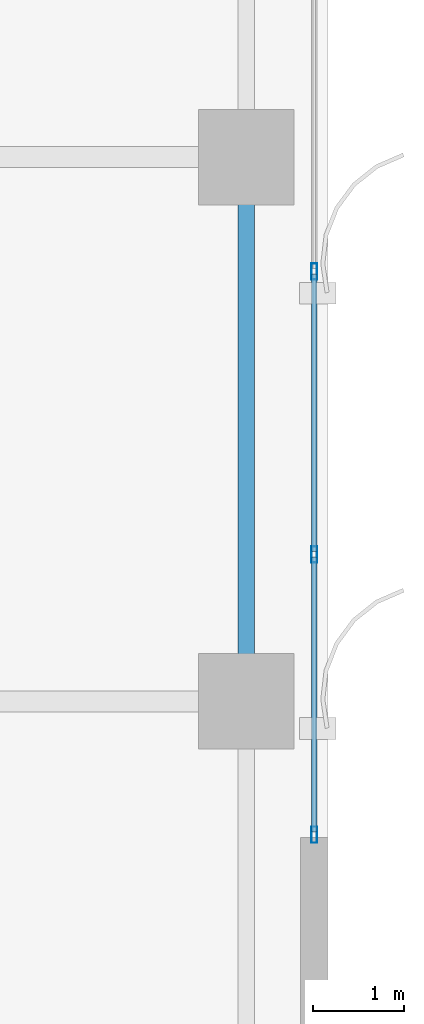
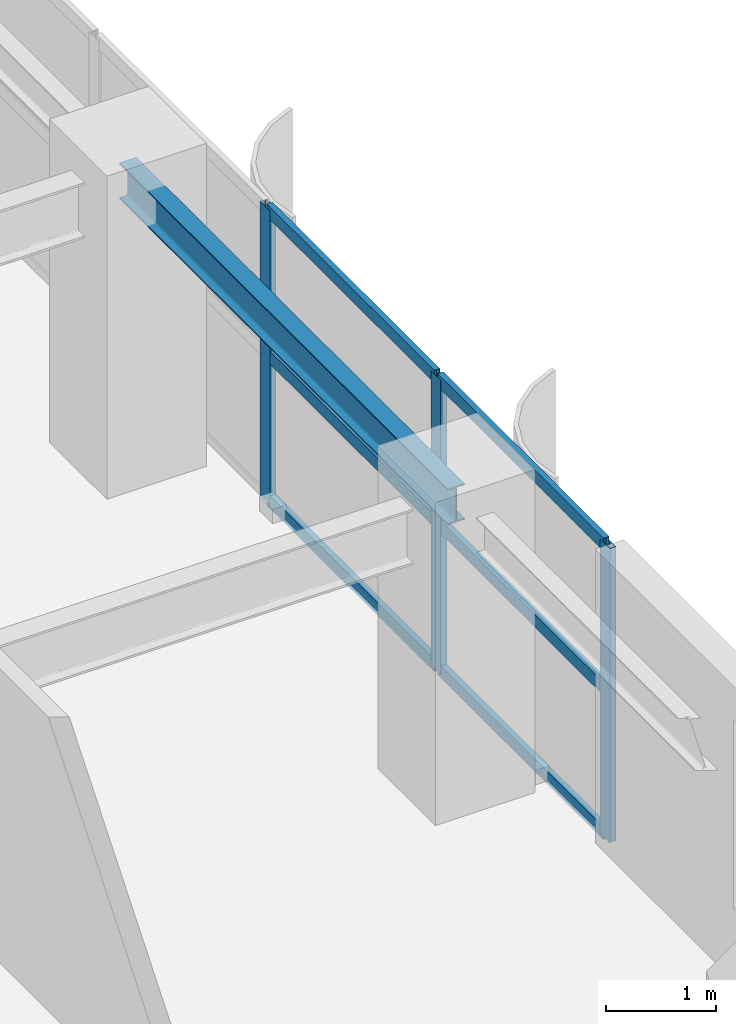
# One storey, part 11 of 28: 9 members, 1 beam, 1 element without a shape of its own.
"""IFC4 building model written with IfcOpenShell, lengths in metres."""

from ifc_helpers import new_model, si_unit, direction, frame, origin, origin_2d, place, context, subcontext, project, spatial, hollow_rectangle, i_section, extrude, source, transform, mapped, material, layer, layer_set, material_profile, profile_set, type_object, element, aggregate, save


model = new_model("IFC4")

# Units and contexts
model_context = context("Model", 3, precision=1e-05, world=origin(), true_north=direction((0.0, 1.0)))
body_context = subcontext(model_context, "Body", "Model", "MODEL_VIEW")
ifc_project = project(units=[si_unit("LENGTHUNIT", "METRE"), si_unit("AREAUNIT", "SQUARE_METRE"), si_unit("VOLUMEUNIT", "CUBIC_METRE"), si_unit("PLANEANGLEUNIT", "RADIAN"), si_unit("MASSUNIT", "GRAM", prefix="KILO")], contexts=[model_context])

# Site, building, storey
site_placement = place(None, origin())
site = spatial("IfcSite", under=ifc_project, at=site_placement, CompositionType="ELEMENT")
building_placement = place(site_placement, origin())
building = spatial("IfcBuilding", under=site, at=building_placement, Name="Khoralis Quay Care Tower", CompositionType="ELEMENT")
storey_placement = place(building_placement, frame((0.0, 0.0, 144.89990234375)))
storey = spatial("IfcBuildingStorey", under=building, at=storey_placement, Name="L38", CompositionType="ELEMENT", Elevation=144.89990234375)

# Beam
ifc_material_1 = material(Name="Steel S355", Category="steel")
ifc_material_profile_1 = material_profile(ifc_material_1, i_section(OverallWidth=0.179931640625, OverallDepth=0.39990234375, WebThickness=0.008544921875, FlangeThickness=0.013427734375, FilletRadius=0.02099609375, at=origin_2d()), Name="Steel S355")
ifc_profile_set_1 = profile_set([ifc_material_profile_1], Name="Steel S355")
beam_type = type_object("IfcBeamType", Name="BM-IPE400", PredefinedType="SPANDREL", material=ifc_profile_set_1)
shared_shape_1 = source(origin(), body_context, "Body", "SweptSolid", [
    extrude(i_section(OverallWidth=0.179931640625, OverallDepth=0.39990234375, WebThickness=0.008544921875, FlangeThickness=0.013427734375, FilletRadius=0.02099609375, at=origin_2d()), origin(), (0.0, 0.0, 1.0), 6.0),
])
beam_placement = place(storey_placement, frame((44.10009765625, 18.0, 3.080078125), z_axis=(0.0, 1.0, 0.0), x_axis=(-1.0, 0.0, 0.0)))
element("IfcBeam", 1, at=beam_placement, inside=storey, type_object=beam_type, Name="BM-TSP-L38-18", PredefinedType="SPANDREL", context=body_context, shape_type="MappedRepresentation", body=[
    mapped(shared_shape_1, transform((0.0, 0.0, 0.0), scale=1.0)),
])

# Curtain wall, members
ifc_material_2 = material(Name="Pale anodised aluminium", Category="aluminium")
ifc_layer = layer(ifc_material_2, 0.169921875)
ifc_layer_set = layer_set([ifc_layer], Name="Pale anodised aluminium")
curtain_wall_type = type_object("IfcCurtainWallType", Name="CW-SYS-Z2", PredefinedType="NOTDEFINED", material=ifc_layer_set)
curtain_wall_placement = place(storey_placement, origin())
curtain_wall = element("IfcCurtainWall", 2, at=curtain_wall_placement, inside=storey, type_object=curtain_wall_type, Name="L38 Unitised Curtain Wall CW-L38-P1-E5", PredefinedType="NOTDEFINED")
ifc_material_profile_2 = material_profile(ifc_material_2, hollow_rectangle(XDim=0.06005859375, YDim=0.139892578125, WallThickness=0.00390625, at=origin_2d()), Name="Pale anodised aluminium")
ifc_profile_set_2 = profile_set([ifc_material_profile_2], Name="Pale anodised aluminium")
member_type_1 = type_object("IfcMemberType", Name="CW-TRN-140", PredefinedType="USERDEFINED", material=ifc_profile_set_2)
shared_shape_2 = source(origin(), body_context, "Body", "SweptSolid", [
    extrude(hollow_rectangle(XDim=0.06005859375, YDim=0.139892578125, WallThickness=0.00390625, at=origin_2d()), origin(), (0.0, 0.0, 1.0), 3.030029296875),
])
member_1_placement = place(storey_placement, frame((44.85009765625, 16.56005859375, 0.030029296875), z_axis=(0.0, 1.0, 0.0), x_axis=(-1.0, 0.0, 0.0)))
member_1 = element("IfcMember", 3, at=member_1_placement, type_object=member_type_1, Name="CW2 transom 1.1", ObjectType="TRANSOM", PredefinedType="USERDEFINED", context=body_context, shape_type="MappedRepresentation", body=[
    mapped(shared_shape_2, transform((0.0, 0.0, 0.0), scale=1.0)),
])
member_2_placement = place(storey_placement, frame((44.85009765625, 16.56005859375, 1.64013671875), z_axis=(0.0, 1.0, 0.0), x_axis=(-1.0, 0.0, 0.0)))
member_2 = element("IfcMember", 4, at=member_2_placement, type_object=member_type_1, Name="CW2 transom 1.2", ObjectType="TRANSOM", PredefinedType="USERDEFINED", context=body_context, shape_type="MappedRepresentation", body=[
    mapped(shared_shape_2, transform((0.0, 0.0, 0.0), scale=1.0)),
])
member_3_placement = place(storey_placement, frame((44.85009765625, 16.56005859375, 3.25), z_axis=(0.0, 1.0, 0.0), x_axis=(-1.0, 0.0, 0.0)))
member_3 = element("IfcMember", 5, at=member_3_placement, type_object=member_type_1, Name="CW2 transom 1.3", ObjectType="TRANSOM", PredefinedType="USERDEFINED", context=body_context, shape_type="MappedRepresentation", body=[
    mapped(shared_shape_2, transform((0.0, 0.0, 0.0), scale=1.0)),
])
shared_shape_3 = source(origin(), body_context, "Body", "SweptSolid", [
    extrude(hollow_rectangle(XDim=0.06005859375, YDim=0.139892578125, WallThickness=0.00390625, at=origin_2d()), origin(), (0.0, 0.0, 1.0), 3.06005859375),
])
member_4_placement = place(storey_placement, frame((44.85009765625, 19.64990234375, 0.030029296875), z_axis=(0.0, 1.0, 0.0), x_axis=(-1.0, 0.0, 0.0)))
member_4 = element("IfcMember", 6, at=member_4_placement, type_object=member_type_1, Name="CW2 transom 2.1", ObjectType="TRANSOM", PredefinedType="USERDEFINED", context=body_context, shape_type="MappedRepresentation", body=[
    mapped(shared_shape_3, transform((0.0, 0.0, 0.0), scale=1.0)),
])
member_5_placement = place(storey_placement, frame((44.85009765625, 19.64990234375, 1.64013671875), z_axis=(0.0, 1.0, 0.0), x_axis=(-1.0, 0.0, 0.0)))
member_5 = element("IfcMember", 7, at=member_5_placement, type_object=member_type_1, Name="CW2 transom 2.2", ObjectType="TRANSOM", PredefinedType="USERDEFINED", context=body_context, shape_type="MappedRepresentation", body=[
    mapped(shared_shape_3, transform((0.0, 0.0, 0.0), scale=1.0)),
])
member_6_placement = place(storey_placement, frame((44.85009765625, 19.64990234375, 3.25), z_axis=(0.0, 1.0, 0.0), x_axis=(-1.0, 0.0, 0.0)))
member_6 = element("IfcMember", 8, at=member_6_placement, type_object=member_type_1, Name="CW2 transom 2.3", ObjectType="TRANSOM", PredefinedType="USERDEFINED", context=body_context, shape_type="MappedRepresentation", body=[
    mapped(shared_shape_3, transform((0.0, 0.0, 0.0), scale=1.0)),
])
ifc_material_profile_3 = material_profile(ifc_material_2, hollow_rectangle(XDim=0.06494140625, YDim=0.179931640625, WallThickness=0.00390625, at=origin_2d()), Name="Pale anodised aluminium")
ifc_profile_set_3 = profile_set([ifc_material_profile_3], Name="Pale anodised aluminium")
member_type_2 = type_object("IfcMemberType", Name="CW-MUL-180", PredefinedType="MULLION", material=ifc_profile_set_3)
shared_shape_4 = source(origin(), body_context, "Body", "SweptSolid", [
    extrude(hollow_rectangle(XDim=0.06494140625, YDim=0.179931640625, WallThickness=0.00390625, at=origin_2d()), origin(), (0.0, 0.0, 1.0), 3.280029296875),
])
member_7_placement = place(storey_placement, frame((44.85009765625, 16.530029296875, 0.0), z_axis=(0.0, 0.0, 1.0), x_axis=(-1.0, 0.0, 0.0)))
member_7 = element("IfcMember", 9, at=member_7_placement, type_object=member_type_2, Name="CW2 mullion 1", PredefinedType="MULLION", context=body_context, shape_type="MappedRepresentation", body=[
    mapped(shared_shape_4, transform((0.0, 0.0, 0.0), scale=1.0)),
])
member_8_placement = place(storey_placement, frame((44.85009765625, 19.6201171875, 0.0), z_axis=(0.0, 0.0, 1.0), x_axis=(-1.0, 0.0, 0.0)))
member_8 = element("IfcMember", 10, at=member_8_placement, type_object=member_type_2, Name="CW2 mullion 2", PredefinedType="MULLION", context=body_context, shape_type="MappedRepresentation", body=[
    mapped(shared_shape_4, transform((0.0, 0.0, 0.0), scale=1.0)),
])
member_9_placement = place(storey_placement, frame((44.85009765625, 22.739990234375, 0.0), z_axis=(0.0, 0.0, 1.0), x_axis=(-1.0, 0.0, 0.0)))
member_9 = element("IfcMember", 11, at=member_9_placement, type_object=member_type_2, Name="CW2 mullion 3", PredefinedType="MULLION", context=body_context, shape_type="MappedRepresentation", body=[
    mapped(shared_shape_4, transform((0.0, 0.0, 0.0), scale=1.0)),
])
aggregate(curtain_wall, [member_7, member_8, member_9, member_1, member_2, member_3, member_4, member_5, member_6])

save(model, "model.ifc")
